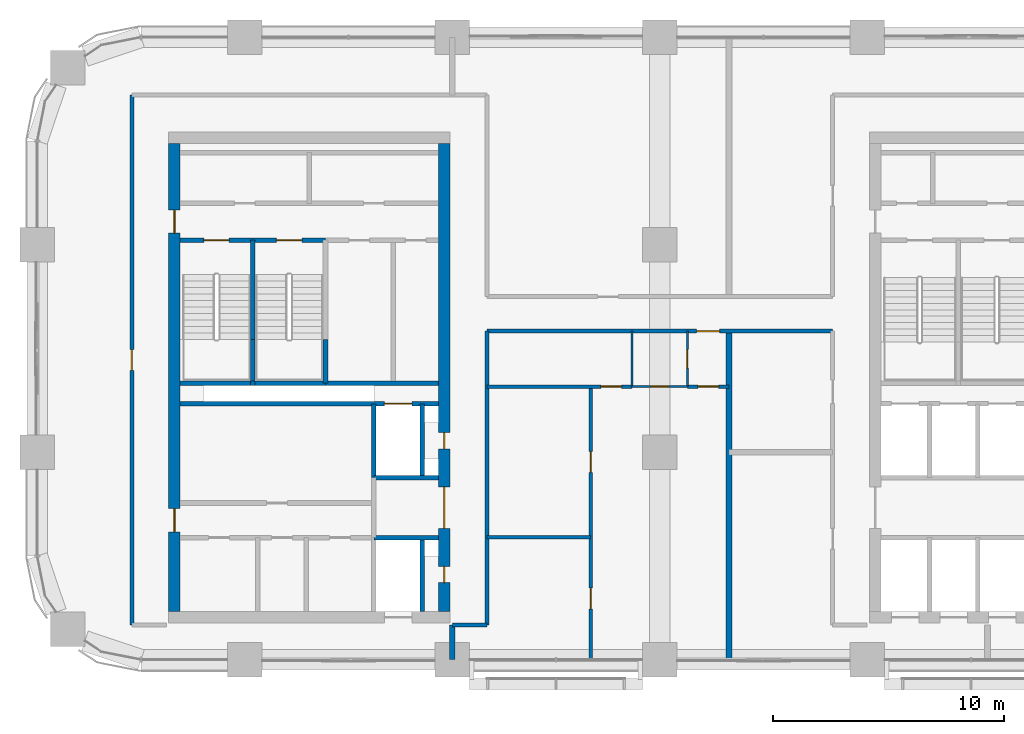
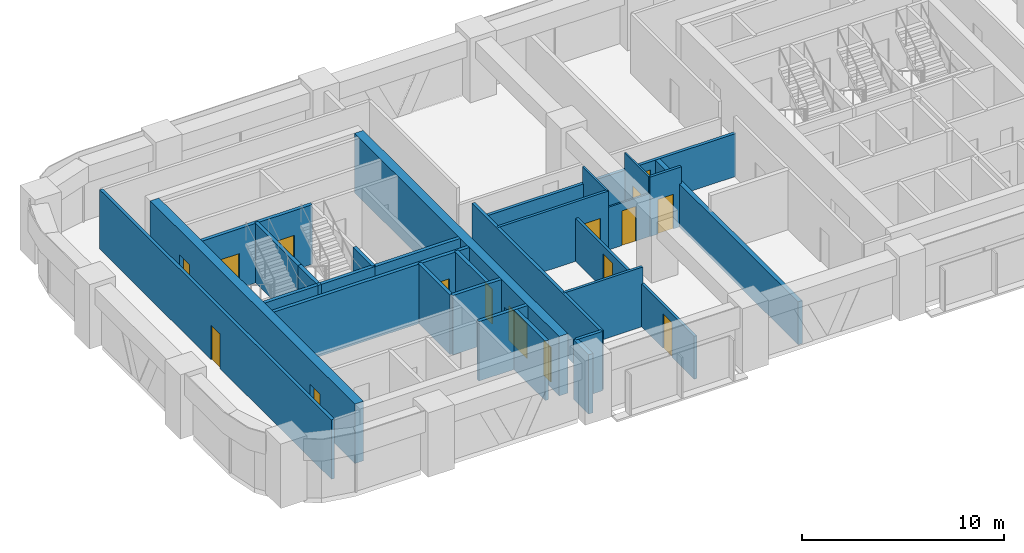
# One storey, part 8 of 13: 29 walls, 16 doors, 16 openings.
"""IFC4 building model written with IfcOpenShell, lengths in metres."""

from ifc_helpers import new_model, si_unit, direction, frame, frame_2d, origin, place, context, subcontext, project, spatial, rectangle, extrude, material, layer, layer_set, type_object, element, fill, save


model = new_model("IFC4")

# Units and contexts
model_context = context("Model", 3, precision=1e-05, world=origin(), true_north=direction((0.0, 1.0)))
body_context = subcontext(model_context, "Body", "Model", "MODEL_VIEW")
ifc_project = project(units=[si_unit("LENGTHUNIT", "METRE"), si_unit("AREAUNIT", "SQUARE_METRE"), si_unit("VOLUMEUNIT", "CUBIC_METRE"), si_unit("PLANEANGLEUNIT", "RADIAN"), si_unit("MASSUNIT", "GRAM", prefix="KILO")], contexts=[model_context])

# Site, building, storey
site_placement = place(None, origin())
site = spatial("IfcSite", under=ifc_project, at=site_placement, CompositionType="ELEMENT")
building_placement = place(site_placement, origin())
building = spatial("IfcBuilding", under=site, at=building_placement, Name="Tessera Arch", CompositionType="ELEMENT")
storey_placement = place(building_placement, frame((0.0, 0.0, 158.300048828125)))
storey = spatial("IfcBuildingStorey", under=building, at=storey_placement, Name="L37", CompositionType="ELEMENT", Elevation=158.300048828125)

# Wall, openings, doors
ifc_material_1 = material(Name="Concrete C60/75", Category="concrete")
ifc_layer_1 = layer(ifc_material_1, 0.5)
ifc_layer_set_1 = layer_set([ifc_layer_1], Name="Core shell wall 500 C60-75")
wall_type_1 = type_object("IfcWallType", Name="Core shell wall 500 C60-75", PredefinedType="SHEAR", material=ifc_layer_set_1)
wall_1_placement = place(storey_placement, frame((5.949951171875, 29.10009765625, 0.0), z_axis=(0.0, 0.0, 1.0), x_axis=(0.0, 1.0, 0.0)))
wall_1 = element("IfcWall", 1, at=wall_1_placement, inside=storey, type_object=wall_type_1, Name="L37 C2 core wall W", PredefinedType="SHEAR", context=body_context, shape_type="SweptSolid", body=[
    extrude(rectangle(XDim=20.2998046875, YDim=0.5, at=frame_2d((10.14990234375, 0.0))), origin(), (0.0, 0.0, 1.0), 3.599853515625),
])
opening_1_placement = place(wall_1_placement, frame((3.449951171875, 0.0, 0.0)))
opening_1 = element("IfcOpeningElement", 2, at=opening_1_placement, cuts=wall_1, Name="Opening L37-C28", PredefinedType="OPENING", context=body_context, shape_type="SweptSolid", body=[
    extrude(rectangle(XDim=1.0, YDim=2.10009765625, at=frame_2d((0.5, 1.050048828125))), frame((0.0, 0.260009765625, 0.0), z_axis=(0.0, -1.0, 0.0), x_axis=(1.0, 0.0, 0.0)), (0.0, 0.0, 1.0), 0.52001953125),
])
opening_2_placement = place(wall_1_placement, frame((16.39990234375, 0.0, 0.0)))
opening_2 = element("IfcOpeningElement", 3, at=opening_2_placement, cuts=wall_1, Name="Opening L37-C29", PredefinedType="OPENING", context=body_context, shape_type="SweptSolid", body=[
    extrude(rectangle(XDim=1.0, YDim=2.10009765625, at=frame_2d((0.5, 1.050048828125))), frame((0.0, 0.260009765625, 0.0), z_axis=(0.0, -1.0, 0.0), x_axis=(1.0, 0.0, 0.0)), (0.0, 0.0, 1.0), 0.52001953125),
])
ifc_material_2 = material(Name="Steel door leaf", Category="steel")
door_type_1 = type_object("IfcDoorType", Name="Corridor door FD60 1000 x 2100", OperationType="SINGLE_SWING_LEFT", PredefinedType="DOOR", material=ifc_material_2)
door_1_placement = place(opening_1_placement, origin())
door_1 = element("IfcDoor", 4, at=door_1_placement, inside=storey, type_object=door_type_1, Name="L37 C2 door 8 C28 type D12", OperationType="SINGLE_SWING_LEFT", OverallHeight=2.10009765625, OverallWidth=1.0, PredefinedType="DOOR", context=body_context, shape_type="SweptSolid", body=[
    extrude(rectangle(XDim=1.0, YDim=2.10009765625, at=frame_2d((0.5, 1.050048828125))), frame((0.0, 0.02490234375, 0.0), z_axis=(0.0, -1.0, 0.0), x_axis=(1.0, 0.0, 0.0)), (0.0, 0.0, 1.0), 0.050048828125),
])
fill(opening_1, door_1)
door_2_placement = place(opening_2_placement, origin())
door_2 = element("IfcDoor", 5, at=door_2_placement, inside=storey, type_object=door_type_1, Name="L37 C2 door 9 C29 type D12", OperationType="SINGLE_SWING_RIGHT", OverallHeight=2.10009765625, OverallWidth=1.0, PredefinedType="DOOR", context=body_context, shape_type="SweptSolid", body=[
    extrude(rectangle(XDim=1.0, YDim=2.10009765625, at=frame_2d((0.5, 1.050048828125))), frame((0.0, 0.02490234375, 0.0), z_axis=(0.0, -1.0, 0.0), x_axis=(1.0, 0.0, 0.0)), (0.0, 0.0, 1.0), 0.050048828125),
])
fill(opening_2, door_2)

wall_2_placement = place(storey_placement, frame((17.64990234375, 29.10009765625, 0.0), z_axis=(0.0, 0.0, 1.0), x_axis=(0.0, 1.0, 0.0)))
wall_2 = element("IfcWall", 6, at=wall_2_placement, inside=storey, type_object=wall_type_1, Name="L37 C2 core wall E", PredefinedType="SHEAR", context=body_context, shape_type="SweptSolid", body=[
    extrude(rectangle(XDim=20.2998046875, YDim=0.5, at=frame_2d((10.14990234375, 0.0))), origin(), (0.0, 0.0, 1.0), 3.599853515625),
])
opening_3_placement = place(wall_2_placement, frame((1.25, 0.0, 0.0)))
opening_3 = element("IfcOpeningElement", 7, at=opening_3_placement, cuts=wall_2, Name="Opening L37-C23", PredefinedType="OPENING", context=body_context, shape_type="SweptSolid", body=[
    extrude(rectangle(XDim=0.699951171875, YDim=2.10009765625, at=frame_2d((0.35009765625, 1.050048828125))), frame((0.0, 0.260009765625, 0.0), z_axis=(0.0, -1.0, 0.0), x_axis=(1.0, 0.0, 0.0)), (0.0, 0.0, 1.0), 0.52001953125),
])
opening_4_placement = place(wall_2_placement, frame((7.050048828125, 0.0, 0.0)))
opening_4 = element("IfcOpeningElement", 8, at=opening_4_placement, cuts=wall_2, Name="Opening L37-C24", PredefinedType="OPENING", context=body_context, shape_type="SweptSolid", body=[
    extrude(rectangle(XDim=0.699951171875, YDim=2.10009765625, at=frame_2d((0.35009765625, 1.050048828125))), frame((0.0, 0.260009765625, 0.0), z_axis=(0.0, -1.0, 0.0), x_axis=(1.0, 0.0, 0.0)), (0.0, 0.0, 1.0), 0.52001953125),
])
opening_5_placement = place(wall_2_placement, frame((3.60009765625, 0.0, 0.0)))
opening_5 = element("IfcOpeningElement", 9, at=opening_5_placement, cuts=wall_2, Name="Opening L37-C27", PredefinedType="OPENING", context=body_context, shape_type="SweptSolid", body=[
    extrude(rectangle(XDim=1.800048828125, YDim=2.10009765625, at=frame_2d((0.89990234375, 1.050048828125))), frame((0.0, 0.260009765625, 0.0), z_axis=(0.0, -1.0, 0.0), x_axis=(1.0, 0.0, 0.0)), (0.0, 0.0, 1.0), 0.52001953125),
])
ifc_material_3 = material(Name="Glazed steel door leaf", Category="steel")
door_type_2 = type_object("IfcDoorType", Name="Lobby double door FD30S 1800 x 2100", OperationType="DOUBLE_DOOR_SINGLE_SWING", PredefinedType="DOOR", material=ifc_material_3)
door_3_placement = place(opening_5_placement, origin())
door_3 = element("IfcDoor", 10, at=door_3_placement, inside=storey, type_object=door_type_2, Name="L37 C2 door 7 C27 type D06", OperationType="DOUBLE_DOOR_SINGLE_SWING", OverallHeight=2.10009765625, OverallWidth=1.800048828125, PredefinedType="DOOR", context=body_context, shape_type="SweptSolid", body=[
    extrude(rectangle(XDim=1.800048828125, YDim=2.10009765625, at=frame_2d((0.89990234375, 1.050048828125))), frame((0.0, 0.02490234375, 0.0), z_axis=(0.0, -1.0, 0.0), x_axis=(1.0, 0.0, 0.0)), (0.0, 0.0, 1.0), 0.050048828125),
])
fill(opening_5, door_3)
ifc_material_4 = material(Name="Steel door leaf", Category="steel")
door_type_3 = type_object("IfcDoorType", Name="Service shaft door FD60 700 x 2100", OperationType="SINGLE_SWING_LEFT", PredefinedType="DOOR", material=ifc_material_4)
door_4_placement = place(opening_3_placement, origin())
door_4 = element("IfcDoor", 11, at=door_4_placement, inside=storey, type_object=door_type_3, Name="L37 C2 door 3 C23 type D07", OperationType="SINGLE_SWING_LEFT", OverallHeight=2.10009765625, OverallWidth=0.699951171875, PredefinedType="DOOR", context=body_context, shape_type="SweptSolid", body=[
    extrude(rectangle(XDim=0.699951171875, YDim=2.10009765625, at=frame_2d((0.35009765625, 1.050048828125))), frame((0.0, 0.02490234375, 0.0), z_axis=(0.0, -1.0, 0.0), x_axis=(1.0, 0.0, 0.0)), (0.0, 0.0, 1.0), 0.050048828125),
])
fill(opening_3, door_4)
door_5_placement = place(opening_4_placement, origin())
door_5 = element("IfcDoor", 12, at=door_5_placement, inside=storey, type_object=door_type_3, Name="L37 C2 door 4 C24 type D07", OperationType="SINGLE_SWING_LEFT", OverallHeight=2.10009765625, OverallWidth=0.699951171875, PredefinedType="DOOR", context=body_context, shape_type="SweptSolid", body=[
    extrude(rectangle(XDim=0.699951171875, YDim=2.10009765625, at=frame_2d((0.35009765625, 1.050048828125))), frame((0.0, 0.02490234375, 0.0), z_axis=(0.0, -1.0, 0.0), x_axis=(1.0, 0.0, 0.0)), (0.0, 0.0, 1.0), 0.050048828125),
])
fill(opening_4, door_5)

# Wall
ifc_material_5 = material(Name="Gypsum board on deep steel stud with mineral wool", Category="steel")
ifc_layer_2 = layer(ifc_material_5, 0.175048828125)
ifc_layer_set_2 = layer_set([ifc_layer_2], Name="Corridor wall 175 EI 60")
wall_type_2 = type_object("IfcWallType", Name="Corridor wall 175 EI 60", PredefinedType="PARTITIONING", material=ifc_layer_set_2)
wall_3_placement = place(storey_placement, frame((18.0, 28.5, 0.0), z_axis=(0.0, 0.0, 1.0), x_axis=(1.0, 0.0, 0.0)))
element("IfcWall", 13, at=wall_3_placement, inside=storey, type_object=wall_type_2, Name="L37 partition 2", PredefinedType="PARTITIONING", context=body_context, shape_type="SweptSolid", body=[
    extrude(rectangle(XDim=1.5, YDim=0.175048828125, at=frame_2d((0.75, 0.0))), origin(), (0.0, 0.0, 1.0), 3.599853515625),
])

# Wall, opening, door
wall_4_placement = place(storey_placement, frame((19.5, 41.25, 0.0), z_axis=(0.0, 0.0, 1.0), x_axis=(1.0, 0.0, 0.0)))
wall_4 = element("IfcWall", 14, at=wall_4_placement, inside=storey, type_object=wall_type_2, Name="L37 partition 5", PredefinedType="PARTITIONING", context=body_context, shape_type="SweptSolid", body=[
    extrude(rectangle(XDim=15.0, YDim=0.175048828125, at=frame_2d((7.5, 0.0))), origin(), (0.0, 0.0, 1.0), 2.599853515625),
])
opening_6_placement = place(wall_4_placement, frame((9.10009765625, 0.0, 0.0)))
opening_6 = element("IfcOpeningElement", 15, at=opening_6_placement, cuts=wall_4, Name="Opening L37-D003", PredefinedType="OPENING", context=body_context, shape_type="SweptSolid", body=[
    extrude(rectangle(XDim=1.0, YDim=2.10009765625, at=frame_2d((0.5, 1.050048828125))), frame((0.0, 0.097412109375, 0.0), z_axis=(0.0, -1.0, 0.0), x_axis=(1.0, 0.0, 0.0)), (0.0, 0.0, 1.0), 0.195068359375),
])
ifc_material_6 = material(Name="Fire-rated door leaf")
door_type_4 = type_object("IfcDoorType", Name="Entrance door FD30S 1000 x 2100", OperationType="SINGLE_SWING_LEFT", PredefinedType="DOOR", material=ifc_material_6)
door_6_placement = place(opening_6_placement, origin())
door_6 = element("IfcDoor", 16, at=door_6_placement, inside=storey, type_object=door_type_4, Name="L37 door D003 type D03", OperationType="SINGLE_SWING_RIGHT", OverallHeight=2.10009765625, OverallWidth=1.0, PredefinedType="DOOR", context=body_context, shape_type="SweptSolid", body=[
    extrude(rectangle(XDim=1.0, YDim=2.10009765625, at=frame_2d((0.5, 1.050048828125))), frame((0.0, 0.02490234375, 0.0), z_axis=(0.0, -1.0, 0.0), x_axis=(1.0, 0.0, 0.0)), (0.0, 0.0, 1.0), 0.050048828125),
])
fill(opening_6, door_6)

wall_5_placement = place(storey_placement, frame((4.10009765625, 28.5, 0.0), z_axis=(0.0, 0.0, 1.0), x_axis=(0.0, 1.0, 0.0)))
wall_5 = element("IfcWall", 17, at=wall_5_placement, inside=storey, type_object=wall_type_2, Name="L37 partition 9", PredefinedType="PARTITIONING", context=body_context, shape_type="SweptSolid", body=[
    extrude(rectangle(XDim=23.0, YDim=0.175048828125, at=frame_2d((11.5, 0.0))), origin(), (0.0, 0.0, 1.0), 3.599853515625),
])
opening_7_placement = place(wall_5_placement, frame((11.050048828125, 0.0, 0.0)))
opening_7 = element("IfcOpeningElement", 18, at=opening_7_placement, cuts=wall_5, Name="Opening L37-D011", PredefinedType="OPENING", context=body_context, shape_type="SweptSolid", body=[
    extrude(rectangle(XDim=0.89990234375, YDim=2.10009765625, at=frame_2d((0.449951171875, 1.050048828125))), frame((0.0, 0.097412109375, 0.0), z_axis=(0.0, -1.0, 0.0), x_axis=(1.0, 0.0, 0.0)), (0.0, 0.0, 1.0), 0.195068359375),
])
ifc_material_7 = material(Name="Timber door leaf", Category="wood")
door_type_5 = type_object("IfcDoorType", Name="Room door 900 x 2100", OperationType="SINGLE_SWING_LEFT", PredefinedType="DOOR", material=ifc_material_7)
door_7_placement = place(opening_7_placement, origin())
door_7 = element("IfcDoor", 19, at=door_7_placement, inside=storey, type_object=door_type_5, Name="L37 door D011 type D01", OperationType="SINGLE_SWING_LEFT", OverallHeight=2.10009765625, OverallWidth=0.89990234375, PredefinedType="DOOR", context=body_context, shape_type="SweptSolid", body=[
    extrude(rectangle(XDim=0.89990234375, YDim=2.10009765625, at=frame_2d((0.449951171875, 1.050048828125))), frame((0.0, 0.02490234375, 0.0), z_axis=(0.0, -1.0, 0.0), x_axis=(1.0, 0.0, 0.0)), (0.0, 0.0, 1.0), 0.050048828125),
])
fill(opening_7, door_7)

# Walls
wall_6_placement = place(storey_placement, frame((19.5, 28.5, 0.0), z_axis=(0.0, 0.0, 1.0), x_axis=(0.0, 1.0, 0.0)))
element("IfcWall", 20, at=wall_6_placement, inside=storey, type_object=wall_type_2, Name="L37 partition 10", PredefinedType="PARTITIONING", context=body_context, shape_type="SweptSolid", body=[
    extrude(rectangle(XDim=12.75, YDim=0.175048828125, at=frame_2d((6.375, 0.0))), origin(), (0.0, 0.0, 1.0), 3.599853515625),
])
ifc_material_8 = material(Name="Gypsum board on steel stud", Category="steel")
ifc_layer_3 = layer(ifc_material_8, 0.14990234375)
ifc_layer_set_3 = layer_set([ifc_layer_3], Name="Partition 150")
wall_type_3 = type_object("IfcWallType", Name="Partition 150", PredefinedType="PARTITIONING", material=ifc_layer_set_3)
wall_7_placement = place(storey_placement, frame((19.5, 32.303955078125, 0.0), z_axis=(0.0, 0.0, 1.0), x_axis=(1.0, 0.0, 0.0)))
element("IfcWall", 21, at=wall_7_placement, inside=storey, type_object=wall_type_3, Name="L37 partition 15", PredefinedType="PARTITIONING", context=body_context, shape_type="SweptSolid", body=[
    extrude(rectangle(XDim=4.5, YDim=0.14990234375, at=frame_2d((2.25, 0.0))), origin(), (0.0, 0.0, 1.0), 3.599853515625),
])

# Wall, opening, door
wall_8_placement = place(storey_placement, frame((19.5, 38.85009765625, 0.0), z_axis=(0.0, 0.0, 1.0), x_axis=(1.0, 0.0, 0.0)))
wall_8 = element("IfcWall", 22, at=wall_8_placement, inside=storey, type_object=wall_type_3, Name="L37 partition 16", PredefinedType="PARTITIONING", context=body_context, shape_type="SweptSolid", body=[
    extrude(rectangle(XDim=6.300048828125, YDim=0.14990234375, at=frame_2d((3.14990234375, 0.0))), origin(), (0.0, 0.0, 1.0), 3.599853515625),
])
opening_8_placement = place(wall_8_placement, frame((4.949951171875, 0.0, 0.0)))
opening_8 = element("IfcOpeningElement", 23, at=opening_8_placement, cuts=wall_8, Name="Opening L37-D007", PredefinedType="OPENING", context=body_context, shape_type="SweptSolid", body=[
    extrude(rectangle(XDim=0.89990234375, YDim=2.10009765625, at=frame_2d((0.449951171875, 1.050048828125))), frame((0.0, 0.0849609375, 0.0), z_axis=(0.0, -1.0, 0.0), x_axis=(1.0, 0.0, 0.0)), (0.0, 0.0, 1.0), 0.169921875),
])
door_8_placement = place(opening_8_placement, origin())
door_8 = element("IfcDoor", 24, at=door_8_placement, inside=storey, type_object=door_type_5, Name="L37 door D007 type D01", OperationType="SINGLE_SWING_LEFT", OverallHeight=2.10009765625, OverallWidth=0.89990234375, PredefinedType="DOOR", context=body_context, shape_type="SweptSolid", body=[
    extrude(rectangle(XDim=0.89990234375, YDim=2.10009765625, at=frame_2d((0.449951171875, 1.050048828125))), frame((0.0, 0.02490234375, 0.0), z_axis=(0.0, -1.0, 0.0), x_axis=(1.0, 0.0, 0.0)), (0.0, 0.0, 1.0), 0.050048828125),
])
fill(opening_8, door_8)

wall_9_placement = place(storey_placement, frame((28.199951171875, 38.85009765625, 0.0), z_axis=(0.0, 0.0, 1.0), x_axis=(1.0, 0.0, 0.0)))
wall_9 = element("IfcWall", 25, at=wall_9_placement, inside=storey, type_object=wall_type_3, Name="L37 partition 17", PredefinedType="PARTITIONING", context=body_context, shape_type="SweptSolid", body=[
    extrude(rectangle(XDim=1.800048828125, YDim=0.14990234375, at=frame_2d((0.89990234375, 0.0))), origin(), (0.0, 0.0, 1.0), 3.599853515625),
])
opening_9_placement = place(wall_9_placement, frame((0.449951171875, 0.0, 0.0)))
opening_9 = element("IfcOpeningElement", 26, at=opening_9_placement, cuts=wall_9, Name="Opening L37-D004", PredefinedType="OPENING", context=body_context, shape_type="SweptSolid", body=[
    extrude(rectangle(XDim=0.89990234375, YDim=2.10009765625, at=frame_2d((0.449951171875, 1.050048828125))), frame((0.0, 0.0849609375, 0.0), z_axis=(0.0, -1.0, 0.0), x_axis=(1.0, 0.0, 0.0)), (0.0, 0.0, 1.0), 0.169921875),
])
door_9_placement = place(opening_9_placement, origin())
door_9 = element("IfcDoor", 27, at=door_9_placement, inside=storey, type_object=door_type_5, Name="L37 door D004 type D01", OperationType="SINGLE_SWING_LEFT", OverallHeight=2.10009765625, OverallWidth=0.89990234375, PredefinedType="DOOR", context=body_context, shape_type="SweptSolid", body=[
    extrude(rectangle(XDim=0.89990234375, YDim=2.10009765625, at=frame_2d((0.449951171875, 1.050048828125))), frame((0.0, 0.02490234375, 0.0), z_axis=(0.0, -1.0, 0.0), x_axis=(1.0, 0.0, 0.0)), (0.0, 0.0, 1.0), 0.050048828125),
])
fill(opening_9, door_9)

# Wall, openings, doors
wall_10_placement = place(storey_placement, frame((24.0, 27.0, 0.0), z_axis=(0.0, 0.0, 1.0), x_axis=(0.0, 1.0, 0.0)))
wall_10 = element("IfcWall", 28, at=wall_10_placement, inside=storey, type_object=wall_type_3, Name="L37 partition 18", PredefinedType="PARTITIONING", context=body_context, shape_type="SweptSolid", body=[
    extrude(rectangle(XDim=11.85009765625, YDim=0.14990234375, at=frame_2d((5.925048828125, 0.0))), origin(), (0.0, 0.0, 1.0), 2.599853515625),
])
opening_10_placement = place(wall_10_placement, frame((8.127197265625, 0.0, 0.0)))
opening_10 = element("IfcOpeningElement", 29, at=opening_10_placement, cuts=wall_10, Name="Opening L37-D008", PredefinedType="OPENING", context=body_context, shape_type="SweptSolid", body=[
    extrude(rectangle(XDim=0.89990234375, YDim=2.10009765625, at=frame_2d((0.449951171875, 1.050048828125))), frame((0.0, 0.0849609375, 0.0), z_axis=(0.0, -1.0, 0.0), x_axis=(1.0, 0.0, 0.0)), (0.0, 0.0, 1.0), 0.169921875),
])
opening_11_placement = place(wall_10_placement, frame((2.2021484375, 0.0, 0.0)))
opening_11 = element("IfcOpeningElement", 30, at=opening_11_placement, cuts=wall_10, Name="Opening L37-D009", PredefinedType="OPENING", context=body_context, shape_type="SweptSolid", body=[
    extrude(rectangle(XDim=0.89990234375, YDim=2.10009765625, at=frame_2d((0.449951171875, 1.050048828125))), frame((0.0, 0.0849609375, 0.0), z_axis=(0.0, -1.0, 0.0), x_axis=(1.0, 0.0, 0.0)), (0.0, 0.0, 1.0), 0.169921875),
])
door_10_placement = place(opening_10_placement, origin())
door_10 = element("IfcDoor", 31, at=door_10_placement, inside=storey, type_object=door_type_5, Name="L37 door D008 type D01", OperationType="SINGLE_SWING_LEFT", OverallHeight=2.10009765625, OverallWidth=0.89990234375, PredefinedType="DOOR", context=body_context, shape_type="SweptSolid", body=[
    extrude(rectangle(XDim=0.89990234375, YDim=2.10009765625, at=frame_2d((0.449951171875, 1.050048828125))), frame((0.0, 0.02490234375, 0.0), z_axis=(0.0, -1.0, 0.0), x_axis=(1.0, 0.0, 0.0)), (0.0, 0.0, 1.0), 0.050048828125),
])
fill(opening_10, door_10)
door_11_placement = place(opening_11_placement, origin())
door_11 = element("IfcDoor", 32, at=door_11_placement, inside=storey, type_object=door_type_5, Name="L37 door D009 type D01", OperationType="SINGLE_SWING_LEFT", OverallHeight=2.10009765625, OverallWidth=0.89990234375, PredefinedType="DOOR", context=body_context, shape_type="SweptSolid", body=[
    extrude(rectangle(XDim=0.89990234375, YDim=2.10009765625, at=frame_2d((0.449951171875, 1.050048828125))), frame((0.0, 0.02490234375, 0.0), z_axis=(0.0, -1.0, 0.0), x_axis=(1.0, 0.0, 0.0)), (0.0, 0.0, 1.0), 0.050048828125),
])
fill(opening_11, door_11)

# Walls
ifc_material_9 = material(Name="Double gypsum board on twin steel stud with acoustic mineral wool", Category="steel")
ifc_layer_4 = layer(ifc_material_9, 0.25)
ifc_layer_set_4 = layer_set([ifc_layer_4], Name="Party wall 250 EI 60")
wall_type_4 = type_object("IfcWallType", Name="Party wall 250 EI 60", PredefinedType="PARTITIONING", material=ifc_layer_set_4)
wall_11_placement = place(storey_placement, frame((18.0, 27.0, 0.0), z_axis=(0.0, 0.0, 1.0), x_axis=(0.0, 1.0, 0.0)))
element("IfcWall", 33, at=wall_11_placement, inside=storey, type_object=wall_type_4, Name="L37 partition 21", PredefinedType="PARTITIONING", context=body_context, shape_type="SweptSolid", body=[
    extrude(rectangle(XDim=1.5, YDim=0.25, at=frame_2d((0.75, 0.0))), origin(), (0.0, 0.0, 1.0), 3.599853515625),
])
wall_12_placement = place(storey_placement, frame((30.0, 27.0, 0.0), z_axis=(0.0, 0.0, 1.0), x_axis=(0.0, 1.0, 0.0)))
element("IfcWall", 34, at=wall_12_placement, inside=storey, type_object=wall_type_4, Name="L37 partition 23", PredefinedType="PARTITIONING", context=body_context, shape_type="SweptSolid", body=[
    extrude(rectangle(XDim=14.25, YDim=0.25, at=frame_2d((7.125, 0.0))), origin(), (0.0, 0.0, 1.0), 2.599853515625),
])
ifc_material_10 = material(Name="Concrete C40/50", Category="concrete")
ifc_layer_5 = layer(ifc_material_10, 0.199951171875)
ifc_layer_set_5 = layer_set([ifc_layer_5], Name="Shaft wall 200 EI 120")
wall_type_5 = type_object("IfcWallType", Name="Shaft wall 200 EI 120", PredefinedType="SOLIDWALL", material=ifc_layer_set_5)
wall_13_placement = place(storey_placement, frame((14.60009765625, 34.89990234375, 0.0), z_axis=(0.0, 0.0, 1.0), x_axis=(0.0, 1.0, 0.0)))
element("IfcWall", 35, at=wall_13_placement, inside=storey, type_object=wall_type_5, Name="L37 C2 shaft wall 10", PredefinedType="SOLIDWALL", context=body_context, shape_type="SweptSolid", body=[
    extrude(rectangle(XDim=3.2001953125, YDim=0.199951171875, at=frame_2d((1.60009765625, 0.0))), origin(), (0.0, 0.0, 1.0), 3.599853515625),
])
wall_14_placement = place(storey_placement, frame((16.699951171875, 29.10009765625, 0.0), z_axis=(0.0, 0.0, 1.0), x_axis=(0.0, 1.0, 0.0)))
element("IfcWall", 36, at=wall_14_placement, inside=storey, type_object=wall_type_5, Name="L37 C2 shaft wall 12", PredefinedType="SOLIDWALL", context=body_context, shape_type="SweptSolid", body=[
    extrude(rectangle(XDim=3.199951171875, YDim=0.199951171875, at=frame_2d((1.60009765625, 0.0))), origin(), (0.0, 0.0, 1.0), 3.599853515625),
])
wall_15_placement = place(storey_placement, frame((16.699951171875, 34.89990234375, 0.0), z_axis=(0.0, 0.0, 1.0), x_axis=(0.0, 1.0, 0.0)))
element("IfcWall", 37, at=wall_15_placement, inside=storey, type_object=wall_type_5, Name="L37 C2 shaft wall 13", PredefinedType="SOLIDWALL", context=body_context, shape_type="SweptSolid", body=[
    extrude(rectangle(XDim=3.2001953125, YDim=0.199951171875, at=frame_2d((1.60009765625, 0.0))), origin(), (0.0, 0.0, 1.0), 3.599853515625),
])
for number, where, z_axis, x_axis, name in (
    (38, (14.60009765625, 32.300048828125, 0.0), (0.0, 0.0, 1.0), (1.0, 0.0, 0.0), "L37 C2 shaft wall 15"),
    (39, (14.60009765625, 34.89990234375, 0.0), (0.0, 0.0, 1.0), (1.0, 0.0, 0.0), "L37 C2 shaft wall 17"),
):
    element("IfcWall", number, at=place(storey_placement, frame(where, z_axis=z_axis, x_axis=x_axis)), inside=storey, type_object=wall_type_5, Name=name, PredefinedType="SOLIDWALL", context=body_context, shape_type="SweptSolid", body=[
        extrude(rectangle(XDim=2.7998046875, YDim=0.199951171875, at=frame_2d((1.39990234375, 0.0))), origin(), (0.0, 0.0, 1.0), 3.599853515625),
    ])

# Wall, opening, door
wall_16_placement = place(storey_placement, frame((6.199951171875, 38.10009765625, 0.0), z_axis=(0.0, 0.0, 1.0), x_axis=(1.0, 0.0, 0.0)))
wall_16 = element("IfcWall", 40, at=wall_16_placement, inside=storey, type_object=wall_type_5, Name="L37 C2 shaft wall 18", PredefinedType="SOLIDWALL", context=body_context, shape_type="SweptSolid", body=[
    extrude(rectangle(XDim=11.199951171875, YDim=0.199951171875, at=frame_2d((5.60009765625, 0.0))), origin(), (0.0, 0.0, 1.0), 3.599853515625),
])
opening_12_placement = place(wall_16_placement, frame((8.85009765625, 0.0, 0.0)))
opening_12 = element("IfcOpeningElement", 41, at=opening_12_placement, cuts=wall_16, Name="Opening L37-C22", PredefinedType="OPENING", context=body_context, shape_type="SweptSolid", body=[
    extrude(rectangle(XDim=1.199951171875, YDim=2.10009765625, at=frame_2d((0.60009765625, 1.050048828125))), frame((0.0, 0.10986328125, 0.0), z_axis=(0.0, -1.0, 0.0), x_axis=(1.0, 0.0, 0.0)), (0.0, 0.0, 1.0), 0.219970703125),
])
ifc_material_11 = material(Name="Stainless steel AISI 304", Category="steel")
door_type_6 = type_object("IfcDoorType", Name="Sliding landing door 1200 x 2100", OperationType="SLIDING_TO_LEFT", PredefinedType="DOOR", material=ifc_material_11)
door_12_placement = place(opening_12_placement, origin())
door_12 = element("IfcDoor", 42, at=door_12_placement, inside=storey, type_object=door_type_6, Name="L37 HR8 lift landing door C22 type LD", OperationType="SLIDING_TO_LEFT", OverallHeight=2.10009765625, OverallWidth=1.199951171875, PredefinedType="DOOR", context=body_context, shape_type="SweptSolid", body=[
    extrude(rectangle(XDim=1.199951171875, YDim=2.10009765625, at=frame_2d((0.60009765625, 1.050048828125))), frame((0.0, 0.02490234375, 0.0), z_axis=(0.0, -1.0, 0.0), x_axis=(1.0, 0.0, 0.0)), (0.0, 0.0, 1.0), 0.050048828125),
])
fill(opening_12, door_12)

# Walls
wall_17_placement = place(storey_placement, frame((12.5, 39.0, 0.0), z_axis=(0.0, 0.0, 1.0), x_axis=(1.0, 0.0, 0.0)))
element("IfcWall", 43, at=wall_17_placement, inside=storey, type_object=wall_type_5, Name="L37 C2 shaft wall 19", PredefinedType="SOLIDWALL", context=body_context, shape_type="SweptSolid", body=[
    extrude(rectangle(XDim=4.89990234375, YDim=0.199951171875, at=frame_2d((2.449951171875, 0.0))), origin(), (0.0, 0.0, 1.0), 3.599853515625),
])
ifc_material_12 = material(Name="Concrete C40/50", Category="concrete")
ifc_layer_6 = layer(ifc_material_12, 0.199951171875)
ifc_layer_set_6 = layer_set([ifc_layer_6], Name="Stair well wall 200 REI 180")
wall_type_6 = type_object("IfcWallType", Name="Stair well wall 200 REI 180", PredefinedType="SOLIDWALL", material=ifc_layer_set_6)
wall_18_placement = place(storey_placement, frame((9.35009765625, 39.0, 0.0), z_axis=(0.0, 0.0, 1.0), x_axis=(0.0, 1.0, 0.0)))
element("IfcWall", 44, at=wall_18_placement, inside=storey, type_object=wall_type_6, Name="L37 C2 shaft wall 1", PredefinedType="SOLIDWALL", context=body_context, shape_type="SweptSolid", body=[
    extrude(rectangle(XDim=1.89990234375, YDim=0.199951171875, at=frame_2d((0.949951171875, 0.0))), origin(), (0.0, 0.0, 1.0), 3.599853515625),
])
wall_19_placement = place(storey_placement, frame((9.35009765625, 40.89990234375, 0.0), z_axis=(0.0, 0.0, 1.0), x_axis=(0.0, 1.0, 0.0)))
element("IfcWall", 45, at=wall_19_placement, inside=storey, type_object=wall_type_6, Name="L37 C2 shaft wall 2", PredefinedType="SOLIDWALL", context=body_context, shape_type="SweptSolid", body=[
    extrude(rectangle(XDim=4.300048828125, YDim=0.199951171875, at=frame_2d((2.14990234375, 0.0))), origin(), (0.0, 0.0, 1.0), 3.599853515625),
])
wall_20_placement = place(storey_placement, frame((12.5, 39.0, 0.0), z_axis=(0.0, 0.0, 1.0), x_axis=(0.0, 1.0, 0.0)))
element("IfcWall", 46, at=wall_20_placement, inside=storey, type_object=wall_type_6, Name="L37 C2 shaft wall 6", PredefinedType="SOLIDWALL", context=body_context, shape_type="SweptSolid", body=[
    extrude(rectangle(XDim=1.89990234375, YDim=0.199951171875, at=frame_2d((0.949951171875, 0.0))), origin(), (0.0, 0.0, 1.0), 3.599853515625),
])
wall_21_placement = place(storey_placement, frame((6.199951171875, 39.0, 0.0), z_axis=(0.0, 0.0, 1.0), x_axis=(1.0, 0.0, 0.0)))
element("IfcWall", 47, at=wall_21_placement, inside=storey, type_object=wall_type_6, Name="L37 C2 shaft wall 20", PredefinedType="SOLIDWALL", context=body_context, shape_type="SweptSolid", body=[
    extrude(rectangle(XDim=3.050048828125, YDim=0.199951171875, at=frame_2d((1.52490234375, 0.0))), origin(), (0.0, 0.0, 1.0), 3.599853515625),
])
wall_22_placement = place(storey_placement, frame((9.25, 39.0, 0.0), z_axis=(0.0, 0.0, 1.0), x_axis=(1.0, 0.0, 0.0)))
element("IfcWall", 48, at=wall_22_placement, inside=storey, type_object=wall_type_6, Name="L37 C2 shaft wall 21", PredefinedType="SOLIDWALL", context=body_context, shape_type="SweptSolid", body=[
    extrude(rectangle(XDim=0.199951171875, YDim=0.199951171875, at=frame_2d((0.10009765625, 0.0))), origin(), (0.0, 0.0, 1.0), 3.599853515625),
])
wall_23_placement = place(storey_placement, frame((9.449951171875, 39.0, 0.0), z_axis=(0.0, 0.0, 1.0), x_axis=(1.0, 0.0, 0.0)))
element("IfcWall", 49, at=wall_23_placement, inside=storey, type_object=wall_type_6, Name="L37 C2 shaft wall 22", PredefinedType="SOLIDWALL", context=body_context, shape_type="SweptSolid", body=[
    extrude(rectangle(XDim=3.050048828125, YDim=0.199951171875, at=frame_2d((1.52490234375, 0.0))), origin(), (0.0, 0.0, 1.0), 3.599853515625),
])

# Wall, openings, doors
wall_24_placement = place(storey_placement, frame((6.199951171875, 45.199951171875, 0.0), z_axis=(0.0, 0.0, 1.0), x_axis=(1.0, 0.0, 0.0)))
wall_24 = element("IfcWall", 50, at=wall_24_placement, inside=storey, type_object=wall_type_6, Name="L37 C2 shaft wall 24", PredefinedType="SOLIDWALL", context=body_context, shape_type="SweptSolid", body=[
    extrude(rectangle(XDim=6.300048828125, YDim=0.199951171875, at=frame_2d((3.14990234375, 0.0))), origin(), (0.0, 0.0, 1.0), 3.599853515625),
])
opening_13_placement = place(wall_24_placement, frame((1.02490234375, 0.0, 0.0)))
opening_13 = element("IfcOpeningElement", 51, at=opening_13_placement, cuts=wall_24, Name="Opening L37-C25", PredefinedType="OPENING", context=body_context, shape_type="SweptSolid", body=[
    extrude(rectangle(XDim=1.10009765625, YDim=2.10009765625, at=frame_2d((0.550048828125, 1.050048828125))), frame((0.0, 0.10986328125, 0.0), z_axis=(0.0, -1.0, 0.0), x_axis=(1.0, 0.0, 0.0)), (0.0, 0.0, 1.0), 0.219970703125),
])
opening_14_placement = place(wall_24_placement, frame((4.175048828125, 0.0, 0.0)))
opening_14 = element("IfcOpeningElement", 52, at=opening_14_placement, cuts=wall_24, Name="Opening L37-C26", PredefinedType="OPENING", context=body_context, shape_type="SweptSolid", body=[
    extrude(rectangle(XDim=1.10009765625, YDim=2.10009765625, at=frame_2d((0.550048828125, 1.050048828125))), frame((0.0, 0.10986328125, 0.0), z_axis=(0.0, -1.0, 0.0), x_axis=(1.0, 0.0, 0.0)), (0.0, 0.0, 1.0), 0.219970703125),
])
ifc_material_13 = material(Name="Steel door leaf", Category="steel")
door_type_7 = type_object("IfcDoorType", Name="Stair door FD60 1100 x 2100", OperationType="SINGLE_SWING_LEFT", PredefinedType="DOOR", material=ifc_material_13)
door_13_placement = place(opening_13_placement, origin())
door_13 = element("IfcDoor", 53, at=door_13_placement, inside=storey, type_object=door_type_7, Name="L37 C2 door 5 C25 type D05", OperationType="SINGLE_SWING_LEFT", OverallHeight=2.10009765625, OverallWidth=1.10009765625, PredefinedType="DOOR", context=body_context, shape_type="SweptSolid", body=[
    extrude(rectangle(XDim=1.10009765625, YDim=2.10009765625, at=frame_2d((0.550048828125, 1.050048828125))), frame((0.0, 0.02490234375, 0.0), z_axis=(0.0, -1.0, 0.0), x_axis=(1.0, 0.0, 0.0)), (0.0, 0.0, 1.0), 0.050048828125),
])
fill(opening_13, door_13)
door_14_placement = place(opening_14_placement, origin())
door_14 = element("IfcDoor", 54, at=door_14_placement, inside=storey, type_object=door_type_7, Name="L37 C2 door 6 C26 type D05", OperationType="SINGLE_SWING_RIGHT", OverallHeight=2.10009765625, OverallWidth=1.10009765625, PredefinedType="DOOR", context=body_context, shape_type="SweptSolid", body=[
    extrude(rectangle(XDim=1.10009765625, YDim=2.10009765625, at=frame_2d((0.550048828125, 1.050048828125))), frame((0.0, 0.02490234375, 0.0), z_axis=(0.0, -1.0, 0.0), x_axis=(1.0, 0.0, 0.0)), (0.0, 0.0, 1.0), 0.050048828125),
])
fill(opening_14, door_14)

# Wall, opening, door
ifc_material_14 = material(Name="Moisture-resistant board on pre-plumbed steel stud", Category="steel")
ifc_layer_7 = layer(ifc_material_14, 0.10009765625)
ifc_layer_set_7 = layer_set([ifc_layer_7], Name="Wet wall 100")
wall_type_7 = type_object("IfcWallType", Name="Wet wall 100", PredefinedType="PARTITIONING", material=ifc_layer_set_7)
wall_25_placement = place(storey_placement, frame((25.800048828125, 38.85009765625, 0.0), z_axis=(0.0, 0.0, 1.0), x_axis=(1.0, 0.0, 0.0)))
wall_25 = element("IfcWall", 55, at=wall_25_placement, inside=storey, type_object=wall_type_7, Name="L37 partition 27", PredefinedType="PARTITIONING", context=body_context, shape_type="SweptSolid", body=[
    extrude(rectangle(XDim=2.39990234375, YDim=0.10009765625, at=frame_2d((1.199951171875, 0.0))), origin(), (0.0, 0.0, 1.0), 2.599853515625),
])
opening_15_placement = place(wall_25_placement, frame((0.800048828125, 0.0, 0.0)))
opening_15 = element("IfcOpeningElement", 56, at=opening_15_placement, cuts=wall_25, Name="Opening L37-D006", PredefinedType="OPENING", context=body_context, shape_type="SweptSolid", body=[
    extrude(rectangle(XDim=0.800048828125, YDim=2.10009765625, at=frame_2d((0.39990234375, 1.050048828125))), frame((0.0, 0.06005859375, 0.0), z_axis=(0.0, -1.0, 0.0), x_axis=(1.0, 0.0, 0.0)), (0.0, 0.0, 1.0), 0.1201171875),
])
ifc_material_15 = material(Name="Timber door leaf", Category="wood")
door_type_8 = type_object("IfcDoorType", Name="En-suite door 800 x 2100", OperationType="SINGLE_SWING_LEFT", PredefinedType="DOOR", material=ifc_material_15)
door_15_placement = place(opening_15_placement, origin())
door_15 = element("IfcDoor", 57, at=door_15_placement, inside=storey, type_object=door_type_8, Name="L37 door D006 type D02", OperationType="SINGLE_SWING_RIGHT", OverallHeight=2.10009765625, OverallWidth=0.800048828125, PredefinedType="DOOR", context=body_context, shape_type="SweptSolid", body=[
    extrude(rectangle(XDim=0.800048828125, YDim=2.10009765625, at=frame_2d((0.39990234375, 1.050048828125))), frame((0.0, 0.02490234375, 0.0), z_axis=(0.0, -1.0, 0.0), x_axis=(1.0, 0.0, 0.0)), (0.0, 0.0, 1.0), 0.050048828125),
])
fill(opening_15, door_15)

# Wall
wall_26_placement = place(storey_placement, frame((25.800048828125, 38.85009765625, 0.0), z_axis=(0.0, 0.0, 1.0), x_axis=(0.0, 1.0, 0.0)))
element("IfcWall", 58, at=wall_26_placement, inside=storey, type_object=wall_type_7, Name="L37 partition 28", PredefinedType="PARTITIONING", context=body_context, shape_type="SweptSolid", body=[
    extrude(rectangle(XDim=2.39990234375, YDim=0.10009765625, at=frame_2d((1.199951171875, 0.0))), origin(), (0.0, 0.0, 1.0), 3.599853515625),
])

# Wall, opening, door
wall_27_placement = place(storey_placement, frame((28.199951171875, 38.85009765625, 0.0), z_axis=(0.0, 0.0, 1.0), x_axis=(0.0, 1.0, 0.0)))
wall_27 = element("IfcWall", 59, at=wall_27_placement, inside=storey, type_object=wall_type_7, Name="L37 partition 29", PredefinedType="PARTITIONING", context=body_context, shape_type="SweptSolid", body=[
    extrude(rectangle(XDim=2.39990234375, YDim=0.10009765625, at=frame_2d((1.199951171875, 0.0))), origin(), (0.0, 0.0, 1.0), 3.599853515625),
])
opening_16_placement = place(wall_27_placement, frame((0.800048828125, 0.0, 0.0)))
opening_16 = element("IfcOpeningElement", 60, at=opening_16_placement, cuts=wall_27, Name="Opening L37-D005", PredefinedType="OPENING", context=body_context, shape_type="SweptSolid", body=[
    extrude(rectangle(XDim=0.800048828125, YDim=2.10009765625, at=frame_2d((0.39990234375, 1.050048828125))), frame((0.0, 0.06005859375, 0.0), z_axis=(0.0, -1.0, 0.0), x_axis=(1.0, 0.0, 0.0)), (0.0, 0.0, 1.0), 0.1201171875),
])
door_16_placement = place(opening_16_placement, origin())
door_16 = element("IfcDoor", 61, at=door_16_placement, inside=storey, type_object=door_type_8, Name="L37 door D005 type D02", OperationType="SINGLE_SWING_LEFT", OverallHeight=2.10009765625, OverallWidth=0.800048828125, PredefinedType="DOOR", context=body_context, shape_type="SweptSolid", body=[
    extrude(rectangle(XDim=0.800048828125, YDim=2.10009765625, at=frame_2d((0.39990234375, 1.050048828125))), frame((0.0, 0.02490234375, 0.0), z_axis=(0.0, -1.0, 0.0), x_axis=(1.0, 0.0, 0.0)), (0.0, 0.0, 1.0), 0.050048828125),
])
fill(opening_16, door_16)

save(model, "model.ifc")
